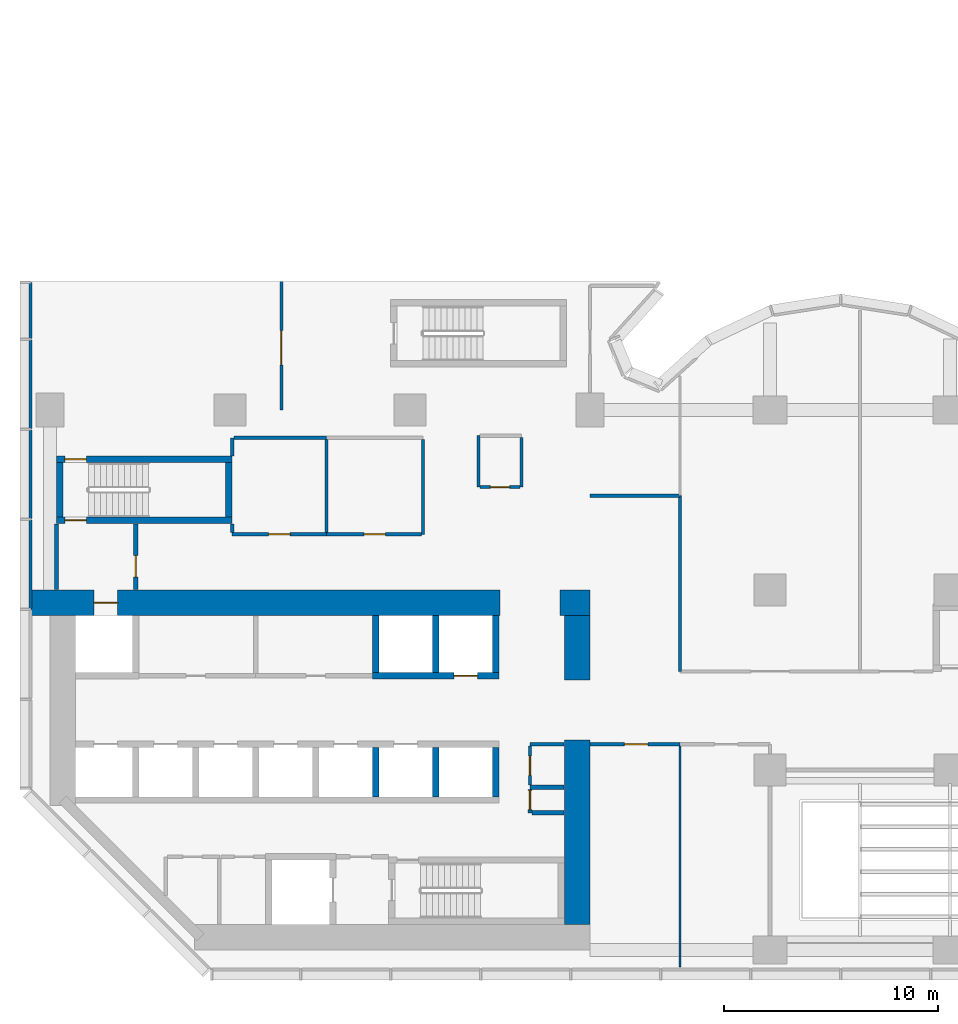
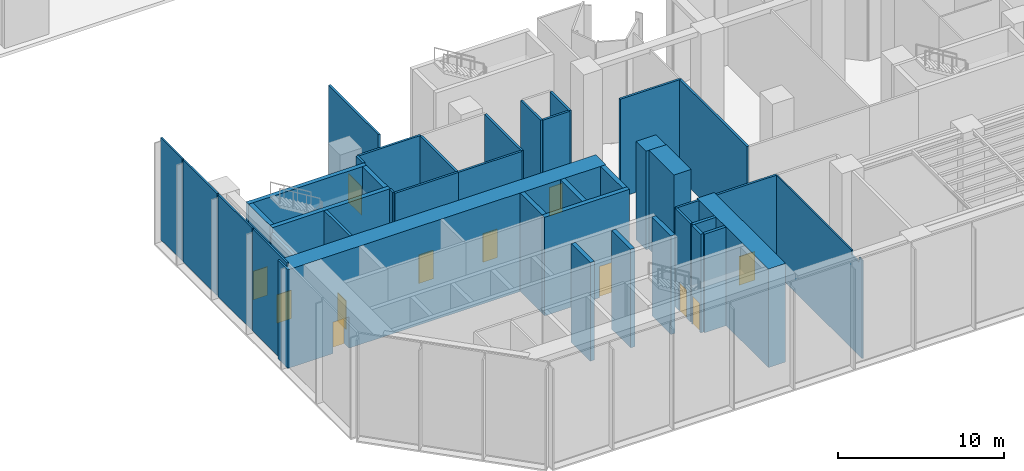
# One storey, part 13 of 22: 41 walls, 12 doors, 12 openings.
"""IFC4 building model written with IfcOpenShell, lengths in metres."""

from ifc_helpers import new_model, si_unit, direction, frame, frame_2d, origin, place, context, subcontext, project, spatial, polyline, rectangle, outline, extrude, material, layer, layer_set, type_object, element, fill, save


model = new_model("IFC4")

# Units and contexts
model_context = context("Model", 3, precision=1e-05, world=origin(), true_north=direction((0.0, 1.0)))
body_context = subcontext(model_context, "Body", "Model", "MODEL_VIEW")
ifc_project = project(units=[si_unit("LENGTHUNIT", "METRE"), si_unit("AREAUNIT", "SQUARE_METRE"), si_unit("VOLUMEUNIT", "CUBIC_METRE"), si_unit("PLANEANGLEUNIT", "RADIAN"), si_unit("MASSUNIT", "GRAM", prefix="KILO")], contexts=[model_context])

# Site, building, storey
site_placement = place(None, origin())
site = spatial("IfcSite", under=ifc_project, at=site_placement, CompositionType="ELEMENT")
building_placement = place(site_placement, origin())
building = spatial("IfcBuilding", under=site, at=building_placement, Name="Brevane Broadcast Tower", CompositionType="ELEMENT")
storey_placement = place(building_placement, frame((0.0, 0.0, 20.0)))
storey = spatial("IfcBuildingStorey", under=building, at=storey_placement, Name="L03", CompositionType="ELEMENT", Elevation=20.0)

# Wall, opening, door
ifc_material_1 = material(Name="Gypsum board on steel studs", Category="steel")
ifc_layer_1 = layer(ifc_material_1, 0.14990234375)
ifc_layer_set_1 = layer_set([ifc_layer_1], Name="Core fire partition 150 mm")
wall_type_1 = type_object("IfcWallType", Name="Core fire partition 150 mm", PredefinedType="PARTITIONING", material=ifc_layer_set_1)
wall_1_placement = place(storey_placement, frame((12.89990234375, 19.39990234375, 0.0), z_axis=(0.0, 0.0, 1.0), x_axis=(-1.0, 0.0, 0.0)))
wall_1 = element("IfcWall", 1, at=wall_1_placement, inside=storey, type_object=wall_type_1, Name="L03 partition wall P14", PredefinedType="PARTITIONING", context=body_context, shape_type="SweptSolid", body=[
    extrude(rectangle(XDim=4.39990234375, YDim=0.14990234375, at=frame_2d((2.199951171875, 0.0))), origin(), (0.0, 0.0, 1.0), 7.25),
])
opening_1_placement = place(wall_1_placement, frame((1.699951171875, 0.0, 0.0)))
opening_1 = element("IfcOpeningElement", 2, at=opening_1_placement, cuts=wall_1, Name="Opening L03-K28", PredefinedType="OPENING", context=body_context, shape_type="SweptSolid", body=[
    extrude(rectangle(XDim=1.0, YDim=2.10009765625, at=frame_2d((0.5, 1.050048828125))), frame((0.0, 0.0849609375, 0.0), z_axis=(0.0, -1.0, 0.0), x_axis=(1.0, 0.0, 0.0)), (0.0, 0.0, 1.0), 0.169921875),
])
ifc_material_2 = material(Name="Steel", Category="steel")
door_type_1 = type_object("IfcDoorType", Name="Service room door 1000 x 2100", OperationType="SINGLE_SWING_LEFT", PredefinedType="DOOR", material=ifc_material_2)
door_1_placement = place(opening_1_placement, origin())
door_1 = element("IfcDoor", 3, at=door_1_placement, inside=storey, type_object=door_type_1, Name="Door L03-K28", OperationType="SINGLE_SWING_LEFT", OverallHeight=2.10009765625, OverallWidth=1.0, PredefinedType="DOOR", context=body_context, shape_type="SweptSolid", body=[
    extrude(rectangle(XDim=1.0, YDim=2.10009765625, at=frame_2d((0.5, 1.050048828125))), frame((0.0, 0.02490234375, 0.0), z_axis=(0.0, -1.0, 0.0), x_axis=(1.0, 0.0, 0.0)), (0.0, 0.0, 1.0), 0.050048828125),
])
fill(opening_1, door_1)

# Walls
wall_2_placement = place(storey_placement, frame((8.5, 19.47509765625, 0.0), z_axis=(0.0, 0.0, 1.0), x_axis=(0.0, 1.0, 0.0)))
element("IfcWall", 4, at=wall_2_placement, inside=storey, type_object=wall_type_1, Name="L03 partition wall P15", PredefinedType="PARTITIONING", context=body_context, shape_type="SweptSolid", body=[
    extrude(rectangle(XDim=0.412841796875, YDim=0.14990234375, at=frame_2d((0.20654296875, 0.0))), origin(), (0.0, 0.0, 1.0), 7.25),
])
wall_3_placement = place(storey_placement, frame((8.5, 23.06201171875, 0.0), z_axis=(0.0, 0.0, 1.0), x_axis=(0.0, 1.0, 0.0)))
element("IfcWall", 5, at=wall_3_placement, inside=storey, type_object=wall_type_1, Name="L03 partition wall P16", PredefinedType="PARTITIONING", context=body_context, shape_type="SweptSolid", body=[
    extrude(rectangle(XDim=0.837890625, YDim=0.14990234375, at=frame_2d((0.4189453125, 0.0))), origin(), (0.0, 0.0, 1.0), 7.25),
])
wall_4_placement = place(storey_placement, frame((8.574951171875, 23.89990234375, 0.0), z_axis=(0.0, 0.0, 1.0), x_axis=(1.0, 0.0, 0.0)))
element("IfcWall", 6, at=wall_4_placement, inside=storey, type_object=wall_type_1, Name="L03 partition wall P17", PredefinedType="PARTITIONING", context=body_context, shape_type="SweptSolid", body=[
    extrude(rectangle(XDim=4.324951171875, YDim=0.14990234375, at=frame_2d((2.16259765625, 0.0))), origin(), (0.0, 0.0, 1.0), 7.25),
])
wall_5_placement = place(storey_placement, frame((17.39990234375, 23.824951171875, 0.0), z_axis=(0.0, 0.0, 1.0), x_axis=(0.0, -1.0, 0.0)))
element("IfcWall", 7, at=wall_5_placement, inside=storey, type_object=wall_type_1, Name="L03 partition wall P19", PredefinedType="PARTITIONING", context=body_context, shape_type="SweptSolid", body=[
    extrude(rectangle(XDim=4.425048828125, YDim=0.14990234375, at=frame_2d((2.21240234375, 0.0))), origin(), (0.0, 0.0, 1.0), 7.25),
])

# Wall, opening, door
wall_6_placement = place(storey_placement, frame((17.324951171875, 19.39990234375, 0.0), z_axis=(0.0, 0.0, 1.0), x_axis=(-1.0, 0.0, 0.0)))
wall_6 = element("IfcWall", 8, at=wall_6_placement, inside=storey, type_object=wall_type_1, Name="L03 partition wall P20", PredefinedType="PARTITIONING", context=body_context, shape_type="SweptSolid", body=[
    extrude(rectangle(XDim=4.425048828125, YDim=0.14990234375, at=frame_2d((2.21240234375, 0.0))), origin(), (0.0, 0.0, 1.0), 7.25),
])
opening_2_placement = place(wall_6_placement, frame((1.675048828125, 0.0, 0.0)))
opening_2 = element("IfcOpeningElement", 9, at=opening_2_placement, cuts=wall_6, Name="Opening L03-K29", PredefinedType="OPENING", context=body_context, shape_type="SweptSolid", body=[
    extrude(rectangle(XDim=1.0, YDim=2.10009765625, at=frame_2d((0.5, 1.050048828125))), frame((0.0, 0.0849609375, 0.0), z_axis=(0.0, -1.0, 0.0), x_axis=(1.0, 0.0, 0.0)), (0.0, 0.0, 1.0), 0.169921875),
])
door_2_placement = place(opening_2_placement, origin())
door_2 = element("IfcDoor", 10, at=door_2_placement, inside=storey, type_object=door_type_1, Name="Door L03-K29", OperationType="SINGLE_SWING_RIGHT", OverallHeight=2.10009765625, OverallWidth=1.0, PredefinedType="DOOR", context=body_context, shape_type="SweptSolid", body=[
    extrude(rectangle(XDim=1.0, YDim=2.10009765625, at=frame_2d((0.5, 1.050048828125))), frame((0.0, 0.02490234375, 0.0), z_axis=(0.0, -1.0, 0.0), x_axis=(1.0, 0.0, 0.0)), (0.0, 0.0, 1.0), 0.050048828125),
])
fill(opening_2, door_2)

# Walls
wall_7_placement = place(storey_placement, frame((12.89990234375, 23.824951171875, 0.0), z_axis=(0.0, 0.0, 1.0), x_axis=(0.0, -1.0, 0.0)))
element("IfcWall", 11, at=wall_7_placement, inside=storey, type_object=wall_type_1, Name="L03 partition wall P21", PredefinedType="PARTITIONING", context=body_context, shape_type="SweptSolid", body=[
    extrude(rectangle(XDim=4.349853515625, YDim=0.14990234375, at=frame_2d((2.1748046875, 0.0))), origin(), (0.0, 0.0, 1.0), 7.25),
])
wall_8_placement = place(storey_placement, frame((23.988037109375, 9.60009765625, 0.0), z_axis=(0.0, 0.0, 1.0), x_axis=(-1.0, 0.0, 0.0)))
element("IfcWall", 12, at=wall_8_placement, inside=storey, type_object=wall_type_1, Name="L03 partition wall P22", PredefinedType="PARTITIONING", context=body_context, shape_type="SweptSolid", body=[
    extrude(rectangle(XDim=1.588134765625, YDim=0.14990234375, at=frame_2d((0.7939453125, 0.0))), origin(), (0.0, 0.0, 1.0), 7.25),
])

# Wall, opening, door
wall_9_placement = place(storey_placement, frame((22.39990234375, 9.52490234375, 0.0), z_axis=(0.0, 0.0, 1.0), x_axis=(0.0, -1.0, 0.0)))
wall_9 = element("IfcWall", 13, at=wall_9_placement, inside=storey, type_object=wall_type_1, Name="L03 partition wall P23", PredefinedType="PARTITIONING", context=body_context, shape_type="SweptSolid", body=[
    extrude(rectangle(XDim=1.824951171875, YDim=0.14990234375, at=frame_2d((0.91259765625, 0.0))), origin(), (0.0, 0.0, 1.0), 7.25),
])
opening_3_placement = place(wall_9_placement, frame((0.47509765625, 0.0, 0.0)))
opening_3 = element("IfcOpeningElement", 14, at=opening_3_placement, cuts=wall_9, Name="Opening L03-K23", PredefinedType="OPENING", context=body_context, shape_type="SweptSolid", body=[
    extrude(rectangle(XDim=0.89990234375, YDim=2.10009765625, at=frame_2d((0.449951171875, 1.050048828125))), frame((0.0, 0.0849609375, 0.0), z_axis=(0.0, -1.0, 0.0), x_axis=(1.0, 0.0, 0.0)), (0.0, 0.0, 1.0), 0.169921875),
])
door_type_2 = type_object("IfcDoorType", Name="Service room door 900 x 2100", OperationType="SINGLE_SWING_LEFT", PredefinedType="DOOR", material=ifc_material_2)
door_3_placement = place(opening_3_placement, origin())
door_3 = element("IfcDoor", 15, at=door_3_placement, inside=storey, type_object=door_type_2, Name="Door L03-K23", OperationType="SINGLE_SWING_RIGHT", OverallHeight=2.10009765625, OverallWidth=0.89990234375, PredefinedType="DOOR", context=body_context, shape_type="SweptSolid", body=[
    extrude(rectangle(XDim=0.89990234375, YDim=2.10009765625, at=frame_2d((0.449951171875, 1.050048828125))), frame((0.0, 0.02490234375, 0.0), z_axis=(0.0, -1.0, 0.0), x_axis=(1.0, 0.0, 0.0)), (0.0, 0.0, 1.0), 0.050048828125),
])
fill(opening_3, door_3)

# Walls
wall_10_placement = place(storey_placement, frame((20.0, 21.60009765625, 0.0), z_axis=(0.0, 0.0, 1.0), x_axis=(0.0, 1.0, 0.0)))
element("IfcWall", 16, at=wall_10_placement, inside=storey, type_object=wall_type_1, Name="L03 partition wall P24", PredefinedType="PARTITIONING", context=body_context, shape_type="SweptSolid", body=[
    extrude(rectangle(XDim=2.39990234375, YDim=0.14990234375, at=frame_2d((1.199951171875, 0.0))), origin(), (0.0, 0.0, 1.0), 7.25),
])
wall_11_placement = place(storey_placement, frame((22.0, 23.925048828125, 0.0), z_axis=(0.0, 0.0, 1.0), x_axis=(0.0, -1.0, 0.0)))
element("IfcWall", 17, at=wall_11_placement, inside=storey, type_object=wall_type_1, Name="L03 partition wall P26", PredefinedType="PARTITIONING", context=body_context, shape_type="SweptSolid", body=[
    extrude(rectangle(XDim=2.324951171875, YDim=0.14990234375, at=frame_2d((1.16259765625, 0.0))), origin(), (0.0, 0.0, 1.0), 7.25),
])

# Wall, opening, door
wall_12_placement = place(storey_placement, frame((21.925048828125, 21.60009765625, 0.0), z_axis=(0.0, 0.0, 1.0), x_axis=(-1.0, 0.0, 0.0)))
wall_12 = element("IfcWall", 18, at=wall_12_placement, inside=storey, type_object=wall_type_1, Name="L03 partition wall P27", PredefinedType="PARTITIONING", context=body_context, shape_type="SweptSolid", body=[
    extrude(rectangle(XDim=1.85009765625, YDim=0.14990234375, at=frame_2d((0.925048828125, 0.0))), origin(), (0.0, 0.0, 1.0), 7.25),
])
opening_4_placement = place(wall_12_placement, frame((0.47509765625, 0.0, 0.0)))
opening_4 = element("IfcOpeningElement", 19, at=opening_4_placement, cuts=wall_12, Name="Opening L03-K27", PredefinedType="OPENING", context=body_context, shape_type="SweptSolid", body=[
    extrude(rectangle(XDim=0.89990234375, YDim=2.10009765625, at=frame_2d((0.449951171875, 1.050048828125))), frame((0.0, 0.0849609375, 0.0), z_axis=(0.0, -1.0, 0.0), x_axis=(1.0, 0.0, 0.0)), (0.0, 0.0, 1.0), 0.169921875),
])
ifc_material_3 = material(Name="Timber", Category="wood")
door_type_3 = type_object("IfcDoorType", Name="Toilet door 900 x 2100", OperationType="SINGLE_SWING_LEFT", PredefinedType="DOOR", material=ifc_material_3)
door_4_placement = place(opening_4_placement, origin())
door_4 = element("IfcDoor", 20, at=door_4_placement, inside=storey, type_object=door_type_3, Name="Door L03-K27", OperationType="SINGLE_SWING_RIGHT", OverallHeight=2.10009765625, OverallWidth=0.89990234375, PredefinedType="DOOR", context=body_context, shape_type="SweptSolid", body=[
    extrude(rectangle(XDim=0.89990234375, YDim=2.10009765625, at=frame_2d((0.449951171875, 1.050048828125))), frame((0.0, 0.02490234375, 0.0), z_axis=(0.0, -1.0, 0.0), x_axis=(1.0, 0.0, 0.0)), (0.0, 0.0, 1.0), 0.050048828125),
])
fill(opening_4, door_4)

# Wall
ifc_layer_2 = layer(ifc_material_1, 0.199951171875)
ifc_layer_set_2 = layer_set([ifc_layer_2], Name="Core fire partition 200 mm")
wall_type_2 = type_object("IfcWallType", Name="Core fire partition 200 mm", PredefinedType="PARTITIONING", material=ifc_layer_set_2)
wall_13_placement = place(storey_placement, frame((0.300048828125, 16.81201171875, 0.0), z_axis=(0.0, 0.0, 1.0), x_axis=(0.0, 1.0, 0.0)))
element("IfcWall", 21, at=wall_13_placement, inside=storey, type_object=wall_type_2, Name="L03 partition wall P01", PredefinedType="PARTITIONING", context=body_context, shape_type="SweptSolid", body=[
    extrude(rectangle(XDim=3.075927734375, YDim=0.199951171875, at=frame_2d((1.5380859375, 0.0))), origin(), (0.0, 0.0, 1.0), 6.8798828125),
])

# Wall, opening, door
wall_14_placement = place(storey_placement, frame((4.0, 19.887939453125, 0.0), z_axis=(0.0, 0.0, 1.0), x_axis=(0.0, -1.0, 0.0)))
wall_14 = element("IfcWall", 22, at=wall_14_placement, inside=storey, type_object=wall_type_2, Name="L03 partition wall P02", PredefinedType="PARTITIONING", context=body_context, shape_type="SweptSolid", body=[
    extrude(rectangle(XDim=3.075927734375, YDim=0.199951171875, at=frame_2d((1.5380859375, 0.0))), origin(), (0.0, 0.0, 1.0), 7.25),
])
opening_5_placement = place(wall_14_placement, frame((1.488037109375, 0.0, 0.0)))
opening_5 = element("IfcOpeningElement", 23, at=opening_5_placement, cuts=wall_14, Name="Opening L03-K26", PredefinedType="OPENING", context=body_context, shape_type="SweptSolid", body=[
    extrude(rectangle(XDim=1.0, YDim=2.10009765625, at=frame_2d((0.5, 1.050048828125))), frame((0.0, 0.10986328125, 0.0), z_axis=(0.0, -1.0, 0.0), x_axis=(1.0, 0.0, 0.0)), (0.0, 0.0, 1.0), 0.219970703125),
])
door_type_4 = type_object("IfcDoorType", Name="Stair door 1000 x 2100", OperationType="SINGLE_SWING_LEFT", PredefinedType="DOOR", material=ifc_material_2)
door_5_placement = place(opening_5_placement, origin())
door_5 = element("IfcDoor", 24, at=door_5_placement, inside=storey, type_object=door_type_4, Name="Door L03-K26", OperationType="SINGLE_SWING_LEFT", OverallHeight=2.10009765625, OverallWidth=1.0, PredefinedType="DOOR", context=body_context, shape_type="SweptSolid", body=[
    extrude(rectangle(XDim=1.0, YDim=2.10009765625, at=frame_2d((0.5, 1.050048828125))), frame((0.0, 0.02490234375, 0.0), z_axis=(0.0, -1.0, 0.0), x_axis=(1.0, 0.0, 0.0)), (0.0, 0.0, 1.0), 0.050048828125),
])
fill(opening_5, door_5)

# Wall
wall_15_placement = place(storey_placement, frame((23.988037109375, 7.60009765625, 0.0), z_axis=(0.0, 0.0, 1.0), x_axis=(-1.0, 0.0, 0.0)))
element("IfcWall", 25, at=wall_15_placement, inside=storey, type_object=wall_type_2, Name="L03 partition wall P07", PredefinedType="PARTITIONING", context=body_context, shape_type="SweptSolid", body=[
    extrude(rectangle(XDim=1.588134765625, YDim=0.199951171875, at=frame_2d((0.7939453125, 0.0))), origin(), (0.0, 0.0, 1.0), 7.25),
])

# Wall, opening, door
wall_16_placement = place(storey_placement, frame((22.39990234375, 7.5, 0.0), z_axis=(0.0, 0.0, 1.0), x_axis=(0.0, -1.0, 0.0)))
wall_16 = element("IfcWall", 26, at=wall_16_placement, inside=storey, type_object=wall_type_2, Name="L03 partition wall P08", PredefinedType="PARTITIONING", context=body_context, shape_type="SweptSolid", body=[
    extrude(rectangle(XDim=1.10009765625, YDim=0.199951171875, at=frame_2d((0.550048828125, 0.0))), origin(), (0.0, 0.0, 1.0), 7.25),
])
opening_6_placement = place(wall_16_placement, frame((0.050048828125, 0.0, 0.0)))
opening_6 = element("IfcOpeningElement", 27, at=opening_6_placement, cuts=wall_16, Name="Opening L03-K22", PredefinedType="OPENING", context=body_context, shape_type="SweptSolid", body=[
    extrude(rectangle(XDim=0.89990234375, YDim=2.10009765625, at=frame_2d((0.449951171875, 1.050048828125))), frame((0.0, 0.10986328125, 0.0), z_axis=(0.0, -1.0, 0.0), x_axis=(1.0, 0.0, 0.0)), (0.0, 0.0, 1.0), 0.219970703125),
])
door_6_placement = place(opening_6_placement, origin())
door_6 = element("IfcDoor", 28, at=door_6_placement, inside=storey, type_object=door_type_2, Name="Door L03-K22", OperationType="SINGLE_SWING_LEFT", OverallHeight=2.10009765625, OverallWidth=0.89990234375, PredefinedType="DOOR", context=body_context, shape_type="SweptSolid", body=[
    extrude(rectangle(XDim=0.89990234375, YDim=2.10009765625, at=frame_2d((0.449951171875, 1.050048828125))), frame((0.0, 0.02490234375, 0.0), z_axis=(0.0, -1.0, 0.0), x_axis=(1.0, 0.0, 0.0)), (0.0, 0.0, 1.0), 0.050048828125),
])
fill(opening_6, door_6)

# Wall
wall_17_placement = place(storey_placement, frame((22.5, 6.39990234375, 0.0), z_axis=(0.0, 0.0, 1.0), x_axis=(1.0, 0.0, 0.0)))
element("IfcWall", 29, at=wall_17_placement, inside=storey, type_object=wall_type_2, Name="L03 partition wall P09", PredefinedType="PARTITIONING", context=body_context, shape_type="SweptSolid", body=[
    extrude(rectangle(XDim=1.488037109375, YDim=0.199951171875, at=frame_2d((0.744140625, 0.0))), origin(), (0.0, 0.0, 1.0), 7.25),
])

# Wall, opening, door
ifc_material_4 = material(Name="Concrete C80/95", Category="concrete")
ifc_layer_3 = layer(ifc_material_4, 1.199951171875)
ifc_layer_set_3 = layer_set([ifc_layer_3], Name="Core wall 1200 mm C80/95")
wall_type_3 = type_object("IfcWallType", Name="Core wall 1200 mm C80/95", PredefinedType="SHEAR", material=ifc_layer_set_3)
wall_18_placement = place(storey_placement, frame((-1.10009765625, 16.199951171875, 0.0), z_axis=(0.0, 0.0, 1.0), x_axis=(1.0, 0.0, 0.0)))
wall_18 = element("IfcWall", 30, at=wall_18_placement, inside=storey, type_object=wall_type_3, Name="L03 outer wall WN1", PredefinedType="SHEAR", context=body_context, shape_type="SweptSolid", body=[
    extrude(rectangle(XDim=22.10009765625, YDim=1.199951171875, at=frame_2d((11.050048828125, 0.0))), origin(), (0.0, 0.0, 1.0), 7.25),
])
opening_7_placement = place(wall_18_placement, frame((3.14990234375, 0.0, 0.0)))
opening_7 = element("IfcOpeningElement", 31, at=opening_7_placement, cuts=wall_18, Name="Opening LD", PredefinedType="OPENING", context=body_context, shape_type="SweptSolid", body=[
    extrude(rectangle(XDim=1.10009765625, YDim=2.300048828125, at=frame_2d((0.550048828125, 1.14990234375))), frame((0.0, 0.60986328125, 0.0), z_axis=(0.0, -1.0, 0.0), x_axis=(1.0, 0.0, 0.0)), (0.0, 0.0, 1.0), 1.219970703125),
])
ifc_material_5 = material(Name="Stainless steel", Category="steel")
door_type_5 = type_object("IfcDoorType", Name="Lift landing door", OperationType="SLIDING_TO_LEFT", PredefinedType="DOOR", material=ifc_material_5)
door_7_placement = place(opening_7_placement, origin())
door_7 = element("IfcDoor", 32, at=door_7_placement, inside=storey, type_object=door_type_5, Name="Landing door FF1 L03", OperationType="SLIDING_TO_LEFT", OverallHeight=2.300048828125, OverallWidth=1.10009765625, PredefinedType="DOOR", context=body_context, shape_type="SweptSolid", body=[
    extrude(rectangle(XDim=1.10009765625, YDim=2.300048828125, at=frame_2d((0.550048828125, 1.14990234375))), frame((0.0, 0.02490234375, 0.0), z_axis=(0.0, -1.0, 0.0), x_axis=(1.0, 0.0, 0.0)), (0.0, 0.0, 1.0), 0.050048828125),
])
fill(opening_7, door_7)

# Walls
wall_19_placement = place(storey_placement, frame((23.800048828125, 16.199951171875, 0.0), z_axis=(0.0, 0.0, 1.0), x_axis=(1.0, 0.0, 0.0)))
element("IfcWall", 33, at=wall_19_placement, inside=storey, type_object=wall_type_3, Name="L03 outer wall WN2", PredefinedType="SHEAR", context=body_context, shape_type="SweptSolid", body=[
    extrude(rectangle(XDim=1.39990234375, YDim=1.199951171875, at=frame_2d((0.699951171875, 0.0))), origin(), (0.0, 0.0, 1.0), 7.25),
])
wall_20_placement = place(storey_placement, frame((24.60009765625, 1.199951171875, 0.0), z_axis=(0.0, 0.0, 1.0), x_axis=(0.0, 1.0, 0.0)))
element("IfcWall", 34, at=wall_20_placement, inside=storey, type_object=wall_type_3, Name="L03 outer wall WE1", PredefinedType="SHEAR", context=body_context, shape_type="SweptSolid", body=[
    extrude(rectangle(XDim=8.60009765625, YDim=1.199951171875, at=frame_2d((4.300048828125, 0.0))), origin(), (0.0, 0.0, 1.0), 7.25),
])
wall_21_placement = place(storey_placement, frame((24.60009765625, 12.60009765625, 0.0), z_axis=(0.0, 0.0, 1.0), x_axis=(0.0, 1.0, 0.0)))
element("IfcWall", 35, at=wall_21_placement, inside=storey, type_object=wall_type_3, Name="L03 outer wall WE2", PredefinedType="SHEAR", context=body_context, shape_type="SweptSolid", body=[
    extrude(rectangle(XDim=3.0, YDim=1.199951171875, at=frame_2d((1.5, 0.0))), origin(), (0.0, 0.0, 1.0), 7.25),
])
ifc_layer_4 = layer(ifc_material_4, 0.300048828125)
ifc_layer_set_4 = layer_set([ifc_layer_4], Name="Core wall 300 mm C80/95")
wall_type_4 = type_object("IfcWallType", Name="Core wall 300 mm C80/95", PredefinedType="SHEAR", material=ifc_layer_set_4)
for number, where, z_axis, x_axis, name in (
    (36, (15.199951171875, 7.14990234375, 0.0), (0.0, 0.0, 1.0), (0.0, 1.0, 0.0), "L03 shaft wall SH-S-P152"),
    (37, (18.0, 7.14990234375, 0.0), (0.0, 0.0, 1.0), (0.0, 1.0, 0.0), "L03 shaft wall SH-S-P180"),
    (38, (20.800048828125, 7.14990234375, 0.0), (0.0, 0.0, 1.0), (0.0, 1.0, 0.0), "L03 shaft wall SH-S-P208"),
):
    element("IfcWall", number, at=place(storey_placement, frame(where, z_axis=z_axis, x_axis=x_axis)), inside=storey, type_object=wall_type_4, Name=name, PredefinedType="SHEAR", context=body_context, shape_type="SweptSolid", body=[
        extrude(rectangle(XDim=2.300048828125, YDim=0.300048828125, at=frame_2d((1.14990234375, 0.0))), origin(), (0.0, 0.0, 1.0), 7.25),
    ])

# Wall, opening, door
wall_22_placement = place(storey_placement, frame((15.050048828125, 12.800048828125, 0.0), z_axis=(0.0, 0.0, 1.0), x_axis=(1.0, 0.0, 0.0)))
wall_22 = element("IfcWall", 39, at=wall_22_placement, inside=storey, type_object=wall_type_4, Name="L03 shaft wall SH-N152-front", PredefinedType="SHEAR", context=body_context, shape_type="SweptSolid", body=[
    extrude(rectangle(XDim=5.89990234375, YDim=0.300048828125, at=frame_2d((2.949951171875, 0.0))), origin(), (0.0, 0.0, 1.0), 7.25),
])
opening_8_placement = place(wall_22_placement, frame((3.800048828125, 0.0, 0.0)))
opening_8 = element("IfcOpeningElement", 40, at=opening_8_placement, cuts=wall_22, Name="Opening LD", PredefinedType="OPENING", context=body_context, shape_type="SweptSolid", body=[
    extrude(rectangle(XDim=1.10009765625, YDim=2.300048828125, at=frame_2d((0.550048828125, 1.14990234375))), frame((0.0, 0.159912109375, 0.0), z_axis=(0.0, -1.0, 0.0), x_axis=(1.0, 0.0, 0.0)), (0.0, 0.0, 1.0), 0.320068359375),
])
door_8_placement = place(opening_8_placement, origin())
door_8 = element("IfcDoor", 41, at=door_8_placement, inside=storey, type_object=door_type_5, Name="Landing door SL1 L03", OperationType="SLIDING_TO_LEFT", OverallHeight=2.300048828125, OverallWidth=1.10009765625, PredefinedType="DOOR", context=body_context, shape_type="SweptSolid", body=[
    extrude(rectangle(XDim=1.10009765625, YDim=2.300048828125, at=frame_2d((0.550048828125, 1.14990234375))), frame((0.0, 0.02490234375, 0.0), z_axis=(0.0, -1.0, 0.0), x_axis=(1.0, 0.0, 0.0)), (0.0, 0.0, 1.0), 0.050048828125),
])
fill(opening_8, door_8)

# Walls
for number, where, z_axis, x_axis, name in (
    (42, (15.199951171875, 12.949951171875, 0.0), (0.0, 0.0, 1.0), (0.0, 1.0, 0.0), "L03 shaft wall SH-N-P152"),
    (43, (18.0, 12.949951171875, 0.0), (0.0, 0.0, 1.0), (0.0, 1.0, 0.0), "L03 shaft wall SH-N-P180"),
    (44, (20.800048828125, 12.949951171875, 0.0), (0.0, 0.0, 1.0), (0.0, 1.0, 0.0), "L03 shaft wall SH-N-P208"),
):
    element("IfcWall", number, at=place(storey_placement, frame(where, z_axis=z_axis, x_axis=x_axis)), inside=storey, type_object=wall_type_4, Name=name, PredefinedType="SHEAR", context=body_context, shape_type="SweptSolid", body=[
        extrude(rectangle(XDim=2.650146484375, YDim=0.300048828125, at=frame_2d((1.3251953125, 0.0))), origin(), (0.0, 0.0, 1.0), 7.25),
    ])

# Wall, opening, door
wall_23_placement = place(storey_placement, frame((8.5, 20.050048828125, 0.0), z_axis=(0.0, 0.0, 1.0), x_axis=(-1.0, 0.0, 0.0)))
wall_23 = element("IfcWall", 45, at=wall_23_placement, inside=storey, type_object=wall_type_4, Name="L03 stair wall ST-1-S", PredefinedType="SHEAR", context=body_context, shape_type="SweptSolid", body=[
    extrude(rectangle(XDim=8.199951171875, YDim=0.300048828125, at=frame_2d((4.10009765625, 0.0))), origin(), (0.0, 0.0, 1.0), 7.25),
])
opening_9_placement = place(wall_23_placement, frame((6.800048828125, 0.0, 0.0)))
opening_9 = element("IfcOpeningElement", 46, at=opening_9_placement, cuts=wall_23, Name="Opening L03-K11", PredefinedType="OPENING", context=body_context, shape_type="SweptSolid", body=[
    extrude(rectangle(XDim=1.0, YDim=2.10009765625, at=frame_2d((0.5, 1.050048828125))), frame((0.0, 0.159912109375, 0.0), z_axis=(0.0, -1.0, 0.0), x_axis=(1.0, 0.0, 0.0)), (0.0, 0.0, 1.0), 0.320068359375),
])
door_9_placement = place(opening_9_placement, origin())
door_9 = element("IfcDoor", 47, at=door_9_placement, inside=storey, type_object=door_type_4, Name="Door L03-K11", OperationType="SINGLE_SWING_RIGHT", OverallHeight=2.10009765625, OverallWidth=1.0, PredefinedType="DOOR", context=body_context, shape_type="SweptSolid", body=[
    extrude(rectangle(XDim=1.0, YDim=2.10009765625, at=frame_2d((0.5, 1.050048828125))), frame((0.0, 0.02490234375, 0.0), z_axis=(0.0, -1.0, 0.0), x_axis=(1.0, 0.0, 0.0)), (0.0, 0.0, 1.0), 0.050048828125),
])
fill(opening_9, door_9)

wall_24_placement = place(storey_placement, frame((0.300048828125, 22.89990234375, 0.0), z_axis=(0.0, 0.0, 1.0), x_axis=(1.0, 0.0, 0.0)))
wall_24 = element("IfcWall", 48, at=wall_24_placement, inside=storey, type_object=wall_type_4, Name="L03 stair wall ST-1-N", PredefinedType="SHEAR", context=body_context, shape_type="SweptSolid", body=[
    extrude(rectangle(XDim=8.199951171875, YDim=0.300048828125, at=frame_2d((4.10009765625, 0.0))), origin(), (0.0, 0.0, 1.0), 7.25),
])
opening_10_placement = place(wall_24_placement, frame((0.39990234375, 0.0, 0.0)))
opening_10 = element("IfcOpeningElement", 49, at=opening_10_placement, cuts=wall_24, Name="Opening L03-K12", PredefinedType="OPENING", context=body_context, shape_type="SweptSolid", body=[
    extrude(rectangle(XDim=1.0, YDim=2.10009765625, at=frame_2d((0.5, 1.050048828125))), frame((0.0, 0.159912109375, 0.0), z_axis=(0.0, -1.0, 0.0), x_axis=(1.0, 0.0, 0.0)), (0.0, 0.0, 1.0), 0.320068359375),
])
door_10_placement = place(opening_10_placement, origin())
door_10 = element("IfcDoor", 50, at=door_10_placement, inside=storey, type_object=door_type_4, Name="Door L03-K12", OperationType="SINGLE_SWING_LEFT", OverallHeight=2.10009765625, OverallWidth=1.0, PredefinedType="DOOR", context=body_context, shape_type="SweptSolid", body=[
    extrude(rectangle(XDim=1.0, YDim=2.10009765625, at=frame_2d((0.5, 1.050048828125))), frame((0.0, 0.02490234375, 0.0), z_axis=(0.0, -1.0, 0.0), x_axis=(1.0, 0.0, 0.0)), (0.0, 0.0, 1.0), 0.050048828125),
])
fill(opening_10, door_10)

# Walls
for number, where, z_axis, x_axis, name in (
    (51, (0.449951171875, 20.199951171875, 0.0), (0.0, 0.0, 1.0), (0.0, 1.0, 0.0), "L03 stair wall ST-1-W"),
    (52, (8.35009765625, 20.199951171875, 0.0), (0.0, 0.0, 1.0), (0.0, 1.0, 0.0), "L03 stair wall ST-1-E"),
):
    element("IfcWall", number, at=place(storey_placement, frame(where, z_axis=z_axis, x_axis=x_axis)), inside=storey, type_object=wall_type_4, Name=name, PredefinedType="SHEAR", context=body_context, shape_type="SweptSolid", body=[
        extrude(rectangle(XDim=2.550048828125, YDim=0.300048828125, at=frame_2d((1.27490234375, 0.0))), origin(), (0.0, 0.0, 1.0), 7.25),
    ])
ifc_material_6 = material(Name="Gypsum board partition")
ifc_layer_5 = layer(ifc_material_6, 0.10009765625)
ifc_layer_set_5 = layer_set([ifc_layer_5], Name="PARTITION 100 STUD")
wall_type_5 = type_object("IfcWallType", Name="PARTITION 100 STUD", PredefinedType="PARTITIONING", material=ifc_layer_set_5)
wall_25_placement = place(storey_placement, frame((29.39990234375, 9.60009765625, 0.0), z_axis=(0.0, 0.0, 1.0), x_axis=(0.0, -1.0, 0.0)))
element("IfcWall", 53, at=wall_25_placement, inside=storey, type_object=wall_type_5, Name="Partition P3-021", PredefinedType="PARTITIONING", context=body_context, shape_type="SweptSolid", body=[
    extrude(outline(polyline([(0.0, 0.0), (10.398193359375, 0.0), (10.39794921875, 7.22998046875), (10.050048828125, 7.22998046875), (10.048095703125, 6.8798828125), (9.152099609375, 6.8798828125), (9.14990234375, 7.22998046875), (0.0, 7.22998046875), (0.0, 0.0)])), frame((0.0, 0.050048828125, 0.0), z_axis=(0.0, -1.0, 0.0), x_axis=(1.0, 0.0, 0.0)), (0.0, 0.0, 1.0), 0.10009765625),
])
ifc_layer_6 = layer(ifc_material_6, 0.14990234375)
ifc_layer_set_6 = layer_set([ifc_layer_6], Name="PARTITION 150 EI 60")
wall_type_6 = type_object("IfcWallType", Name="PARTITION 150 EI 60", PredefinedType="PARTITIONING", material=ifc_layer_set_6)
wall_26_placement = place(storey_placement, frame((25.199951171875, 21.199951171875, 0.0), z_axis=(0.0, 0.0, 1.0), x_axis=(1.0, 0.0, 0.0)))
element("IfcWall", 54, at=wall_26_placement, inside=storey, type_object=wall_type_6, Name="Partition P3-001", PredefinedType="PARTITIONING", context=body_context, shape_type="SweptSolid", body=[
    extrude(rectangle(XDim=4.199951171875, YDim=0.14990234375, at=frame_2d((2.10009765625, 0.0))), origin(), (0.0, 0.0, 1.0), 7.22998046875),
])

# Wall, opening, door
wall_27_placement = place(storey_placement, frame((29.39990234375, 9.60009765625, 0.0), z_axis=(0.0, 0.0, 1.0), x_axis=(-1.0, 0.0, 0.0)))
wall_27 = element("IfcWall", 55, at=wall_27_placement, inside=storey, type_object=wall_type_6, Name="Partition P3-002", PredefinedType="PARTITIONING", context=body_context, shape_type="SweptSolid", body=[
    extrude(rectangle(XDim=4.199951171875, YDim=0.14990234375, at=frame_2d((2.10009765625, 0.0))), origin(), (0.0, 0.0, 1.0), 7.22998046875),
])
opening_11_placement = place(wall_27_placement, frame((1.5, 0.0, 0.0)))
opening_11 = element("IfcOpeningElement", 56, at=opening_11_placement, cuts=wall_27, Name="Opening D04-004", PredefinedType="OPENING", context=body_context, shape_type="SweptSolid", body=[
    extrude(rectangle(XDim=1.10009765625, YDim=2.10009765625, at=frame_2d((0.550048828125, 1.050048828125))), frame((0.0, 0.0849609375, 0.0), z_axis=(0.0, -1.0, 0.0), x_axis=(1.0, 0.0, 0.0)), (0.0, 0.0, 1.0), 0.169921875),
])
ifc_material_7 = material(Name="Fire-rated timber door leaf", Category="wood")
door_type_6 = type_object("IfcDoorType", Name="DOOR SINGLE 1100 FD30S", OperationType="SINGLE_SWING_LEFT", PredefinedType="DOOR", material=ifc_material_7)
door_11_placement = place(opening_11_placement, origin())
door_11 = element("IfcDoor", 57, at=door_11_placement, inside=storey, type_object=door_type_6, Name="Door D04-004", OperationType="SINGLE_SWING_LEFT", OverallHeight=2.10009765625, OverallWidth=1.10009765625, PredefinedType="DOOR", context=body_context, shape_type="SweptSolid", body=[
    extrude(rectangle(XDim=1.10009765625, YDim=2.10009765625, at=frame_2d((0.550048828125, 1.050048828125))), frame((0.0, 0.02490234375, 0.0), z_axis=(0.0, -1.0, 0.0), x_axis=(1.0, 0.0, 0.0)), (0.0, 0.0, 1.0), 0.050048828125),
])
fill(opening_11, door_11)

# Wall
wall_28_placement = place(storey_placement, frame((29.39990234375, 21.199951171875, 0.0), z_axis=(0.0, 0.0, 1.0), x_axis=(0.0, -1.0, 0.0)))
element("IfcWall", 58, at=wall_28_placement, inside=storey, type_object=wall_type_6, Name="Partition P3-003", PredefinedType="PARTITIONING", context=body_context, shape_type="SweptSolid", body=[
    extrude(rectangle(XDim=8.199951171875, YDim=0.14990234375, at=frame_2d((4.10009765625, 0.0))), origin(), (0.0, 0.0, 1.0), 7.22998046875),
])

# Wall, opening, door
wall_29_placement = place(storey_placement, frame((10.800048828125, 25.199951171875, 0.0), z_axis=(0.0, 0.0, 1.0), x_axis=(0.0, 1.0, 0.0)))
wall_29 = element("IfcWall", 59, at=wall_29_placement, inside=storey, type_object=wall_type_6, Name="Partition P3-028", PredefinedType="PARTITIONING", context=body_context, shape_type="SweptSolid", body=[
    extrude(rectangle(XDim=6.0, YDim=0.14990234375, at=frame_2d((3.0, 0.0))), origin(), (0.0, 0.0, 1.0), 7.22998046875),
])
opening_12_placement = place(wall_29_placement, frame((2.10009765625, 0.0, 0.0)))
opening_12 = element("IfcOpeningElement", 60, at=opening_12_placement, cuts=wall_29, Name="Opening D04-011", PredefinedType="OPENING", context=body_context, shape_type="SweptSolid", body=[
    extrude(rectangle(XDim=1.60009765625, YDim=2.10009765625, at=frame_2d((0.800048828125, 1.050048828125))), frame((0.0, 0.0849609375, 0.0), z_axis=(0.0, -1.0, 0.0), x_axis=(1.0, 0.0, 0.0)), (0.0, 0.0, 1.0), 0.169921875),
])
door_type_7 = type_object("IfcDoorType", Name="DOOR DOUBLE 1600 FD30S", OperationType="DOUBLE_DOOR_SINGLE_SWING", PredefinedType="DOOR", material=ifc_material_7)
door_12_placement = place(opening_12_placement, origin())
door_12 = element("IfcDoor", 61, at=door_12_placement, inside=storey, type_object=door_type_7, Name="Door D04-011", OperationType="DOUBLE_DOOR_SINGLE_SWING", OverallHeight=2.10009765625, OverallWidth=1.60009765625, PredefinedType="DOOR", context=body_context, shape_type="SweptSolid", body=[
    extrude(rectangle(XDim=1.60009765625, YDim=2.10009765625, at=frame_2d((0.800048828125, 1.050048828125))), frame((0.0, 0.02490234375, 0.0), z_axis=(0.0, -1.0, 0.0), x_axis=(1.0, 0.0, 0.0)), (0.0, 0.0, 1.0), 0.050048828125),
])
fill(opening_12, door_12)

# Walls
ifc_material_8 = material(Name="Precast concrete C40/50", Category="concrete")
ifc_layer_7 = layer(ifc_material_8, 0.1201171875)
ifc_layer_set_7 = layer_set([ifc_layer_7], Name="Podium precast cladding wall 120 C40/50")
wall_type_7 = type_object("IfcWallType", Name="Podium precast cladding wall 120 C40/50", PredefinedType="SOLIDWALL", material=ifc_layer_set_7)
wall_30_placement = place(storey_placement, origin())
element("IfcWall", 62, at=wall_30_placement, inside=storey, type_object=wall_type_7, Name="Podium precast cladding wall", PredefinedType="SOLIDWALL", context=body_context, shape_type="SweptSolid", body=[
    extrude(outline(polyline([(-0.969970703125, 28.544921875), (-0.85009765625, 28.544921875), (-0.85009765625, 31.155029296875), (-0.969970703125, 31.155029296875), (-0.969970703125, 28.544921875)])), origin(), (0.0, 0.0, 1.0), 7.5),
])
wall_31_placement = place(storey_placement, origin())
element("IfcWall", 63, at=wall_31_placement, inside=storey, type_object=wall_type_7, Name="Podium precast cladding wall", PredefinedType="SOLIDWALL", context=body_context, shape_type="SweptSolid", body=[
    extrude(outline(polyline([(-0.969970703125, 24.344970703125), (-0.85009765625, 24.344970703125), (-0.85009765625, 28.455078125), (-0.969970703125, 28.455078125), (-0.969970703125, 24.344970703125)])), origin(), (0.0, 0.0, 1.0), 7.5),
])
wall_32_placement = place(storey_placement, origin())
element("IfcWall", 64, at=wall_32_placement, inside=storey, type_object=wall_type_7, Name="Podium precast cladding wall", PredefinedType="SOLIDWALL", context=body_context, shape_type="SweptSolid", body=[
    extrude(outline(polyline([(-0.969970703125, 20.14501953125), (-0.85009765625, 20.14501953125), (-0.85009765625, 24.2548828125), (-0.969970703125, 24.2548828125), (-0.969970703125, 20.14501953125)])), origin(), (0.0, 0.0, 1.0), 7.5),
])
wall_33_placement = place(storey_placement, origin())
element("IfcWall", 65, at=wall_33_placement, inside=storey, type_object=wall_type_7, Name="Podium precast cladding wall", PredefinedType="SOLIDWALL", context=body_context, shape_type="SweptSolid", body=[
    extrude(outline(polyline([(-0.969970703125, 15.945068359375), (-0.85009765625, 15.945068359375), (-0.85009765625, 20.054931640625), (-0.969970703125, 20.054931640625), (-0.969970703125, 15.945068359375)])), origin(), (0.0, 0.0, 1.0), 7.5),
])

save(model, "model.ifc")
